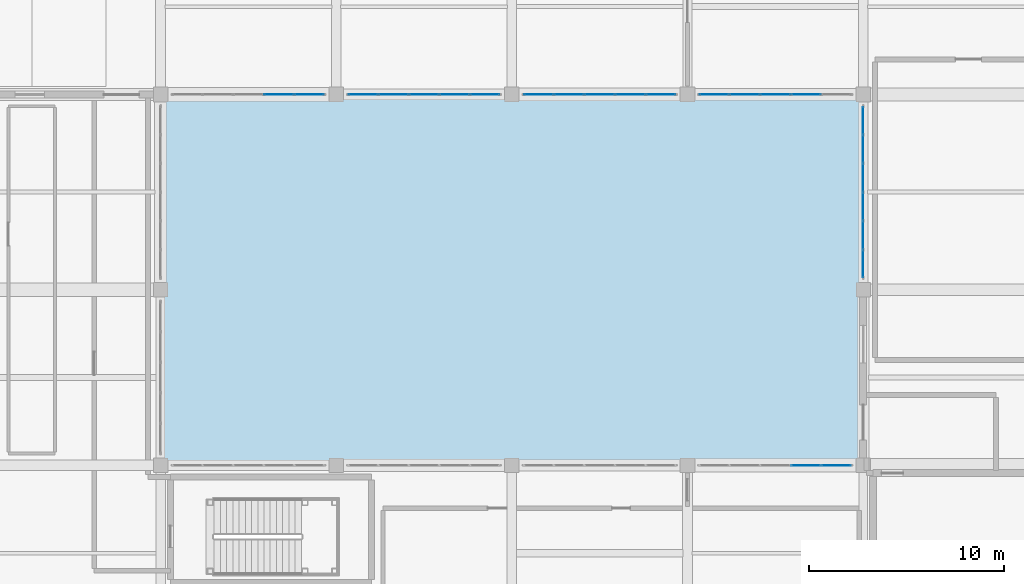
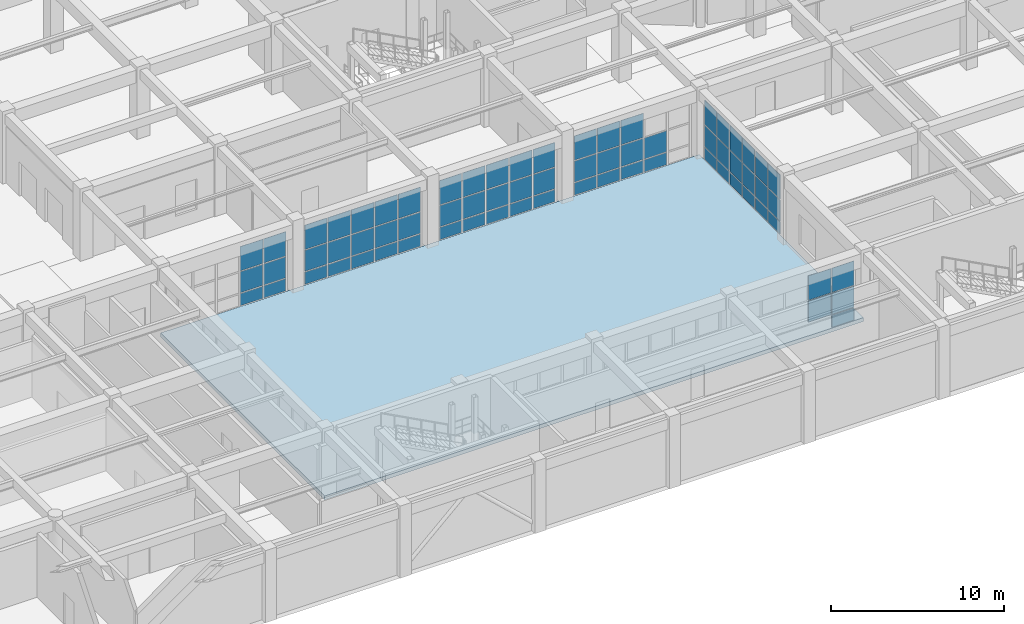
# One storey, part 86 of 128: 70 plates, 1 slab, 6 elements without a shape of their own.
"""IFC4 building model written with IfcOpenShell, lengths in metres."""

from ifc_helpers import new_model, si_unit, direction, frame, origin, origin_2d, place, context, subcontext, project, spatial, polyline, rectangle, outline, extrude, material, layer, layer_set, type_object, element, aggregate, save


model = new_model("IFC4")

# Units and contexts
model_context = context("Model", 3, precision=1e-05, world=origin(), true_north=direction((0.0, 1.0)))
body_context = subcontext(model_context, "Body", "Model", "MODEL_VIEW")
ifc_project = project(units=[si_unit("LENGTHUNIT", "METRE"), si_unit("AREAUNIT", "SQUARE_METRE"), si_unit("VOLUMEUNIT", "CUBIC_METRE"), si_unit("PLANEANGLEUNIT", "RADIAN"), si_unit("MASSUNIT", "GRAM", prefix="KILO")], contexts=[model_context])

# Site, building, storey
site_placement = place(None, origin())
site = spatial("IfcSite", under=ifc_project, at=site_placement, CompositionType="ELEMENT")
building_placement = place(site_placement, origin())
building = spatial("IfcBuilding", under=site, at=building_placement, Name="Miravela Opera House", CompositionType="ELEMENT")
storey_placement = place(building_placement, origin())
storey = spatial("IfcBuildingStorey", under=building, at=storey_placement, Name="L00", CompositionType="ELEMENT", Elevation=0.0)

# Curtain wall, plates
ifc_material_1 = material(Name="Anodised architectural bronze aluminium 6063-T6", Category="aluminium")
curtain_wall_type = type_object("IfcCurtainWallType", Name="ARC-CW-06", PredefinedType="NOTDEFINED", material=ifc_material_1)
curtain_wall_1_placement = place(storey_placement, origin())
curtain_wall_1 = element("IfcCurtainWall", 1, at=curtain_wall_1_placement, inside=storey, type_object=curtain_wall_type, Name="Courtyard Arcade Curtain Wall CW-L00-113", PredefinedType="NOTDEFINED")
ifc_material_2 = material(Name="Acoustic laminated low-E insulating glass", Category="glass")
ifc_layer_1 = layer(ifc_material_2, 0.028076171875)
ifc_layer_set_1 = layer_set([ifc_layer_1])
plate_type = type_object("IfcPlateType", Name="ARC-CWP-28", PredefinedType="CURTAIN_PANEL", material=ifc_layer_set_1)
plate_1_placement = place(storey_placement, frame((33.068115234375, 28.0, 0.06005859375), z_axis=(0.0, 0.0, 1.0), x_axis=(1.0, 0.0, 0.0)))
plate_1 = element("IfcPlate", 2, at=plate_1_placement, type_object=plate_type, Name="CW-06 panel 4.1", PredefinedType="CURTAIN_PANEL", context=body_context, shape_type="SweptSolid", body=[
    extrude(rectangle(XDim=1.508056640625, YDim=0.028076171875, at=origin_2d()), origin(), (0.0, 0.0, 1.0), 0.860107421875),
])
plate_2_placement = place(storey_placement, frame((33.068115234375, 28.0, 0.97998046875), z_axis=(0.0, 0.0, 1.0), x_axis=(1.0, 0.0, 0.0)))
plate_2 = element("IfcPlate", 3, at=plate_2_placement, type_object=plate_type, Name="CW-06 panel 4.2", PredefinedType="CURTAIN_PANEL", context=body_context, shape_type="SweptSolid", body=[
    extrude(rectangle(XDim=1.508056640625, YDim=0.028076171875, at=origin_2d()), origin(), (0.0, 0.0, 1.0), 1.48388671875),
])
plate_3_placement = place(storey_placement, frame((33.068115234375, 28.0, 2.52392578125), z_axis=(0.0, 0.0, 1.0), x_axis=(1.0, 0.0, 0.0)))
plate_3 = element("IfcPlate", 4, at=plate_3_placement, type_object=plate_type, Name="CW-06 panel 4.3", PredefinedType="CURTAIN_PANEL", context=body_context, shape_type="SweptSolid", body=[
    extrude(rectangle(XDim=1.508056640625, YDim=0.028076171875, at=origin_2d()), origin(), (0.0, 0.0, 1.0), 1.716064453125),
])
plate_4_placement = place(storey_placement, frame((34.62109375, 28.0, 0.06005859375), z_axis=(0.0, 0.0, 1.0), x_axis=(1.0, 0.0, 0.0)))
plate_4 = element("IfcPlate", 5, at=plate_4_placement, type_object=plate_type, Name="CW-06 panel 5.1", PredefinedType="CURTAIN_PANEL", context=body_context, shape_type="SweptSolid", body=[
    extrude(rectangle(XDim=1.47802734375, YDim=0.028076171875, at=origin_2d()), origin(), (0.0, 0.0, 1.0), 0.860107421875),
])
plate_5_placement = place(storey_placement, frame((34.62109375, 28.0, 0.97998046875), z_axis=(0.0, 0.0, 1.0), x_axis=(1.0, 0.0, 0.0)))
plate_5 = element("IfcPlate", 6, at=plate_5_placement, type_object=plate_type, Name="CW-06 panel 5.2", PredefinedType="CURTAIN_PANEL", context=body_context, shape_type="SweptSolid", body=[
    extrude(rectangle(XDim=1.47802734375, YDim=0.028076171875, at=origin_2d()), origin(), (0.0, 0.0, 1.0), 1.48388671875),
])
plate_6_placement = place(storey_placement, frame((34.62109375, 28.0, 2.52392578125), z_axis=(0.0, 0.0, 1.0), x_axis=(1.0, 0.0, 0.0)))
plate_6 = element("IfcPlate", 7, at=plate_6_placement, type_object=plate_type, Name="CW-06 panel 5.3", PredefinedType="CURTAIN_PANEL", context=body_context, shape_type="SweptSolid", body=[
    extrude(rectangle(XDim=1.47802734375, YDim=0.028076171875, at=origin_2d()), origin(), (0.0, 0.0, 1.0), 1.716064453125),
])
aggregate(curtain_wall_1, [plate_1, plate_2, plate_3, plate_4, plate_5, plate_6])

curtain_wall_2_placement = place(storey_placement, origin())
curtain_wall_2 = element("IfcCurtainWall", 8, at=curtain_wall_2_placement, inside=storey, type_object=curtain_wall_type, Name="Courtyard Arcade Curtain Wall CW-L00-115", PredefinedType="NOTDEFINED")
plate_7_placement = place(storey_placement, frame((37.37890625, 28.0, 0.06005859375), z_axis=(0.0, 0.0, 1.0), x_axis=(1.0, 0.0, 0.0)))
plate_7 = element("IfcPlate", 9, at=plate_7_placement, type_object=plate_type, Name="CW-06 panel 1.1", PredefinedType="CURTAIN_PANEL", context=body_context, shape_type="SweptSolid", body=[
    extrude(rectangle(XDim=1.47802734375, YDim=0.028076171875, at=origin_2d()), origin(), (0.0, 0.0, 1.0), 0.860107421875),
])
plate_8_placement = place(storey_placement, frame((37.37890625, 28.0, 0.97998046875), z_axis=(0.0, 0.0, 1.0), x_axis=(1.0, 0.0, 0.0)))
plate_8 = element("IfcPlate", 10, at=plate_8_placement, type_object=plate_type, Name="CW-06 panel 1.2", PredefinedType="CURTAIN_PANEL", context=body_context, shape_type="SweptSolid", body=[
    extrude(rectangle(XDim=1.47802734375, YDim=0.028076171875, at=origin_2d()), origin(), (0.0, 0.0, 1.0), 1.48388671875),
])
plate_9_placement = place(storey_placement, frame((37.37890625, 28.0, 2.52392578125), z_axis=(0.0, 0.0, 1.0), x_axis=(1.0, 0.0, 0.0)))
plate_9 = element("IfcPlate", 11, at=plate_9_placement, type_object=plate_type, Name="CW-06 panel 1.3", PredefinedType="CURTAIN_PANEL", context=body_context, shape_type="SweptSolid", body=[
    extrude(rectangle(XDim=1.47802734375, YDim=0.028076171875, at=origin_2d()), origin(), (0.0, 0.0, 1.0), 1.716064453125),
])
plate_10_placement = place(storey_placement, frame((38.931884765625, 28.0, 0.06005859375), z_axis=(0.0, 0.0, 1.0), x_axis=(1.0, 0.0, 0.0)))
plate_10 = element("IfcPlate", 12, at=plate_10_placement, type_object=plate_type, Name="CW-06 panel 2.1", PredefinedType="CURTAIN_PANEL", context=body_context, shape_type="SweptSolid", body=[
    extrude(rectangle(XDim=1.508056640625, YDim=0.028076171875, at=origin_2d()), origin(), (0.0, 0.0, 1.0), 0.860107421875),
])
plate_11_placement = place(storey_placement, frame((38.931884765625, 28.0, 0.97998046875), z_axis=(0.0, 0.0, 1.0), x_axis=(1.0, 0.0, 0.0)))
plate_11 = element("IfcPlate", 13, at=plate_11_placement, type_object=plate_type, Name="CW-06 panel 2.2", PredefinedType="CURTAIN_PANEL", context=body_context, shape_type="SweptSolid", body=[
    extrude(rectangle(XDim=1.508056640625, YDim=0.028076171875, at=origin_2d()), origin(), (0.0, 0.0, 1.0), 1.48388671875),
])
plate_12_placement = place(storey_placement, frame((38.931884765625, 28.0, 2.52392578125), z_axis=(0.0, 0.0, 1.0), x_axis=(1.0, 0.0, 0.0)))
plate_12 = element("IfcPlate", 14, at=plate_12_placement, type_object=plate_type, Name="CW-06 panel 2.3", PredefinedType="CURTAIN_PANEL", context=body_context, shape_type="SweptSolid", body=[
    extrude(rectangle(XDim=1.508056640625, YDim=0.028076171875, at=origin_2d()), origin(), (0.0, 0.0, 1.0), 1.716064453125),
])
plate_13_placement = place(storey_placement, frame((40.5, 28.0, 0.06005859375), z_axis=(0.0, 0.0, 1.0), x_axis=(1.0, 0.0, 0.0)))
plate_13 = element("IfcPlate", 15, at=plate_13_placement, type_object=plate_type, Name="CW-06 panel 3.1", PredefinedType="CURTAIN_PANEL", context=body_context, shape_type="SweptSolid", body=[
    extrude(rectangle(XDim=1.508056640625, YDim=0.028076171875, at=origin_2d()), origin(), (0.0, 0.0, 1.0), 0.860107421875),
])
plate_14_placement = place(storey_placement, frame((40.5, 28.0, 0.97998046875), z_axis=(0.0, 0.0, 1.0), x_axis=(1.0, 0.0, 0.0)))
plate_14 = element("IfcPlate", 16, at=plate_14_placement, type_object=plate_type, Name="CW-06 panel 3.2", PredefinedType="CURTAIN_PANEL", context=body_context, shape_type="SweptSolid", body=[
    extrude(rectangle(XDim=1.508056640625, YDim=0.028076171875, at=origin_2d()), origin(), (0.0, 0.0, 1.0), 1.48388671875),
])
plate_15_placement = place(storey_placement, frame((40.5, 28.0, 2.52392578125), z_axis=(0.0, 0.0, 1.0), x_axis=(1.0, 0.0, 0.0)))
plate_15 = element("IfcPlate", 17, at=plate_15_placement, type_object=plate_type, Name="CW-06 panel 3.3", PredefinedType="CURTAIN_PANEL", context=body_context, shape_type="SweptSolid", body=[
    extrude(rectangle(XDim=1.508056640625, YDim=0.028076171875, at=origin_2d()), origin(), (0.0, 0.0, 1.0), 1.716064453125),
])
plate_16_placement = place(storey_placement, frame((42.068115234375, 28.0, 0.06005859375), z_axis=(0.0, 0.0, 1.0), x_axis=(1.0, 0.0, 0.0)))
plate_16 = element("IfcPlate", 18, at=plate_16_placement, type_object=plate_type, Name="CW-06 panel 4.1", PredefinedType="CURTAIN_PANEL", context=body_context, shape_type="SweptSolid", body=[
    extrude(rectangle(XDim=1.508056640625, YDim=0.028076171875, at=origin_2d()), origin(), (0.0, 0.0, 1.0), 0.860107421875),
])
plate_17_placement = place(storey_placement, frame((42.068115234375, 28.0, 0.97998046875), z_axis=(0.0, 0.0, 1.0), x_axis=(1.0, 0.0, 0.0)))
plate_17 = element("IfcPlate", 19, at=plate_17_placement, type_object=plate_type, Name="CW-06 panel 4.2", PredefinedType="CURTAIN_PANEL", context=body_context, shape_type="SweptSolid", body=[
    extrude(rectangle(XDim=1.508056640625, YDim=0.028076171875, at=origin_2d()), origin(), (0.0, 0.0, 1.0), 1.48388671875),
])
plate_18_placement = place(storey_placement, frame((42.068115234375, 28.0, 2.52392578125), z_axis=(0.0, 0.0, 1.0), x_axis=(1.0, 0.0, 0.0)))
plate_18 = element("IfcPlate", 20, at=plate_18_placement, type_object=plate_type, Name="CW-06 panel 4.3", PredefinedType="CURTAIN_PANEL", context=body_context, shape_type="SweptSolid", body=[
    extrude(rectangle(XDim=1.508056640625, YDim=0.028076171875, at=origin_2d()), origin(), (0.0, 0.0, 1.0), 1.716064453125),
])
plate_19_placement = place(storey_placement, frame((43.62109375, 28.0, 0.06005859375), z_axis=(0.0, 0.0, 1.0), x_axis=(1.0, 0.0, 0.0)))
plate_19 = element("IfcPlate", 21, at=plate_19_placement, type_object=plate_type, Name="CW-06 panel 5.1", PredefinedType="CURTAIN_PANEL", context=body_context, shape_type="SweptSolid", body=[
    extrude(rectangle(XDim=1.47802734375, YDim=0.028076171875, at=origin_2d()), origin(), (0.0, 0.0, 1.0), 0.860107421875),
])
plate_20_placement = place(storey_placement, frame((43.62109375, 28.0, 0.97998046875), z_axis=(0.0, 0.0, 1.0), x_axis=(1.0, 0.0, 0.0)))
plate_20 = element("IfcPlate", 22, at=plate_20_placement, type_object=plate_type, Name="CW-06 panel 5.2", PredefinedType="CURTAIN_PANEL", context=body_context, shape_type="SweptSolid", body=[
    extrude(rectangle(XDim=1.47802734375, YDim=0.028076171875, at=origin_2d()), origin(), (0.0, 0.0, 1.0), 1.48388671875),
])
plate_21_placement = place(storey_placement, frame((43.62109375, 28.0, 2.52392578125), z_axis=(0.0, 0.0, 1.0), x_axis=(1.0, 0.0, 0.0)))
plate_21 = element("IfcPlate", 23, at=plate_21_placement, type_object=plate_type, Name="CW-06 panel 5.3", PredefinedType="CURTAIN_PANEL", context=body_context, shape_type="SweptSolid", body=[
    extrude(rectangle(XDim=1.47802734375, YDim=0.028076171875, at=origin_2d()), origin(), (0.0, 0.0, 1.0), 1.716064453125),
])
aggregate(curtain_wall_2, [plate_7, plate_8, plate_9, plate_10, plate_11, plate_12, plate_13, plate_14, plate_15, plate_16, plate_17, plate_18, plate_19, plate_20, plate_21])

curtain_wall_3_placement = place(storey_placement, origin())
curtain_wall_3 = element("IfcCurtainWall", 24, at=curtain_wall_3_placement, inside=storey, type_object=curtain_wall_type, Name="Courtyard Arcade Curtain Wall CW-L00-117", PredefinedType="NOTDEFINED")
plate_22_placement = place(storey_placement, frame((46.37890625, 28.0, 0.06005859375), z_axis=(0.0, 0.0, 1.0), x_axis=(1.0, 0.0, 0.0)))
plate_22 = element("IfcPlate", 25, at=plate_22_placement, type_object=plate_type, Name="CW-06 panel 1.1", PredefinedType="CURTAIN_PANEL", context=body_context, shape_type="SweptSolid", body=[
    extrude(rectangle(XDim=1.47802734375, YDim=0.028076171875, at=origin_2d()), origin(), (0.0, 0.0, 1.0), 0.860107421875),
])
plate_23_placement = place(storey_placement, frame((46.37890625, 28.0, 0.97998046875), z_axis=(0.0, 0.0, 1.0), x_axis=(1.0, 0.0, 0.0)))
plate_23 = element("IfcPlate", 26, at=plate_23_placement, type_object=plate_type, Name="CW-06 panel 1.2", PredefinedType="CURTAIN_PANEL", context=body_context, shape_type="SweptSolid", body=[
    extrude(rectangle(XDim=1.47802734375, YDim=0.028076171875, at=origin_2d()), origin(), (0.0, 0.0, 1.0), 1.48388671875),
])
plate_24_placement = place(storey_placement, frame((46.37890625, 28.0, 2.52392578125), z_axis=(0.0, 0.0, 1.0), x_axis=(1.0, 0.0, 0.0)))
plate_24 = element("IfcPlate", 27, at=plate_24_placement, type_object=plate_type, Name="CW-06 panel 1.3", PredefinedType="CURTAIN_PANEL", context=body_context, shape_type="SweptSolid", body=[
    extrude(rectangle(XDim=1.47802734375, YDim=0.028076171875, at=origin_2d()), origin(), (0.0, 0.0, 1.0), 1.716064453125),
])
plate_25_placement = place(storey_placement, frame((47.931884765625, 28.0, 0.06005859375), z_axis=(0.0, 0.0, 1.0), x_axis=(1.0, 0.0, 0.0)))
plate_25 = element("IfcPlate", 28, at=plate_25_placement, type_object=plate_type, Name="CW-06 panel 2.1", PredefinedType="CURTAIN_PANEL", context=body_context, shape_type="SweptSolid", body=[
    extrude(rectangle(XDim=1.508056640625, YDim=0.028076171875, at=origin_2d()), origin(), (0.0, 0.0, 1.0), 0.860107421875),
])
plate_26_placement = place(storey_placement, frame((47.931884765625, 28.0, 0.97998046875), z_axis=(0.0, 0.0, 1.0), x_axis=(1.0, 0.0, 0.0)))
plate_26 = element("IfcPlate", 29, at=plate_26_placement, type_object=plate_type, Name="CW-06 panel 2.2", PredefinedType="CURTAIN_PANEL", context=body_context, shape_type="SweptSolid", body=[
    extrude(rectangle(XDim=1.508056640625, YDim=0.028076171875, at=origin_2d()), origin(), (0.0, 0.0, 1.0), 1.48388671875),
])
plate_27_placement = place(storey_placement, frame((47.931884765625, 28.0, 2.52392578125), z_axis=(0.0, 0.0, 1.0), x_axis=(1.0, 0.0, 0.0)))
plate_27 = element("IfcPlate", 30, at=plate_27_placement, type_object=plate_type, Name="CW-06 panel 2.3", PredefinedType="CURTAIN_PANEL", context=body_context, shape_type="SweptSolid", body=[
    extrude(rectangle(XDim=1.508056640625, YDim=0.028076171875, at=origin_2d()), origin(), (0.0, 0.0, 1.0), 1.716064453125),
])
plate_28_placement = place(storey_placement, frame((49.5, 28.0, 0.06005859375), z_axis=(0.0, 0.0, 1.0), x_axis=(1.0, 0.0, 0.0)))
plate_28 = element("IfcPlate", 31, at=plate_28_placement, type_object=plate_type, Name="CW-06 panel 3.1", PredefinedType="CURTAIN_PANEL", context=body_context, shape_type="SweptSolid", body=[
    extrude(rectangle(XDim=1.508056640625, YDim=0.028076171875, at=origin_2d()), origin(), (0.0, 0.0, 1.0), 0.860107421875),
])
plate_29_placement = place(storey_placement, frame((49.5, 28.0, 0.97998046875), z_axis=(0.0, 0.0, 1.0), x_axis=(1.0, 0.0, 0.0)))
plate_29 = element("IfcPlate", 32, at=plate_29_placement, type_object=plate_type, Name="CW-06 panel 3.2", PredefinedType="CURTAIN_PANEL", context=body_context, shape_type="SweptSolid", body=[
    extrude(rectangle(XDim=1.508056640625, YDim=0.028076171875, at=origin_2d()), origin(), (0.0, 0.0, 1.0), 1.48388671875),
])
plate_30_placement = place(storey_placement, frame((49.5, 28.0, 2.52392578125), z_axis=(0.0, 0.0, 1.0), x_axis=(1.0, 0.0, 0.0)))
plate_30 = element("IfcPlate", 33, at=plate_30_placement, type_object=plate_type, Name="CW-06 panel 3.3", PredefinedType="CURTAIN_PANEL", context=body_context, shape_type="SweptSolid", body=[
    extrude(rectangle(XDim=1.508056640625, YDim=0.028076171875, at=origin_2d()), origin(), (0.0, 0.0, 1.0), 1.716064453125),
])
plate_31_placement = place(storey_placement, frame((51.068115234375, 28.0, 0.06005859375), z_axis=(0.0, 0.0, 1.0), x_axis=(1.0, 0.0, 0.0)))
plate_31 = element("IfcPlate", 34, at=plate_31_placement, type_object=plate_type, Name="CW-06 panel 4.1", PredefinedType="CURTAIN_PANEL", context=body_context, shape_type="SweptSolid", body=[
    extrude(rectangle(XDim=1.508056640625, YDim=0.028076171875, at=origin_2d()), origin(), (0.0, 0.0, 1.0), 0.860107421875),
])
plate_32_placement = place(storey_placement, frame((51.068115234375, 28.0, 0.97998046875), z_axis=(0.0, 0.0, 1.0), x_axis=(1.0, 0.0, 0.0)))
plate_32 = element("IfcPlate", 35, at=plate_32_placement, type_object=plate_type, Name="CW-06 panel 4.2", PredefinedType="CURTAIN_PANEL", context=body_context, shape_type="SweptSolid", body=[
    extrude(rectangle(XDim=1.508056640625, YDim=0.028076171875, at=origin_2d()), origin(), (0.0, 0.0, 1.0), 1.48388671875),
])
plate_33_placement = place(storey_placement, frame((51.068115234375, 28.0, 2.52392578125), z_axis=(0.0, 0.0, 1.0), x_axis=(1.0, 0.0, 0.0)))
plate_33 = element("IfcPlate", 36, at=plate_33_placement, type_object=plate_type, Name="CW-06 panel 4.3", PredefinedType="CURTAIN_PANEL", context=body_context, shape_type="SweptSolid", body=[
    extrude(rectangle(XDim=1.508056640625, YDim=0.028076171875, at=origin_2d()), origin(), (0.0, 0.0, 1.0), 1.716064453125),
])
plate_34_placement = place(storey_placement, frame((52.62109375, 28.0, 0.06005859375), z_axis=(0.0, 0.0, 1.0), x_axis=(1.0, 0.0, 0.0)))
plate_34 = element("IfcPlate", 37, at=plate_34_placement, type_object=plate_type, Name="CW-06 panel 5.1", PredefinedType="CURTAIN_PANEL", context=body_context, shape_type="SweptSolid", body=[
    extrude(rectangle(XDim=1.47802734375, YDim=0.028076171875, at=origin_2d()), origin(), (0.0, 0.0, 1.0), 0.860107421875),
])
plate_35_placement = place(storey_placement, frame((52.62109375, 28.0, 0.97998046875), z_axis=(0.0, 0.0, 1.0), x_axis=(1.0, 0.0, 0.0)))
plate_35 = element("IfcPlate", 38, at=plate_35_placement, type_object=plate_type, Name="CW-06 panel 5.2", PredefinedType="CURTAIN_PANEL", context=body_context, shape_type="SweptSolid", body=[
    extrude(rectangle(XDim=1.47802734375, YDim=0.028076171875, at=origin_2d()), origin(), (0.0, 0.0, 1.0), 1.48388671875),
])
plate_36_placement = place(storey_placement, frame((52.62109375, 28.0, 2.52392578125), z_axis=(0.0, 0.0, 1.0), x_axis=(1.0, 0.0, 0.0)))
plate_36 = element("IfcPlate", 39, at=plate_36_placement, type_object=plate_type, Name="CW-06 panel 5.3", PredefinedType="CURTAIN_PANEL", context=body_context, shape_type="SweptSolid", body=[
    extrude(rectangle(XDim=1.47802734375, YDim=0.028076171875, at=origin_2d()), origin(), (0.0, 0.0, 1.0), 1.716064453125),
])
aggregate(curtain_wall_3, [plate_22, plate_23, plate_24, plate_25, plate_26, plate_27, plate_28, plate_29, plate_30, plate_31, plate_32, plate_33, plate_34, plate_35, plate_36])

curtain_wall_4_placement = place(storey_placement, origin())
curtain_wall_4 = element("IfcCurtainWall", 40, at=curtain_wall_4_placement, inside=storey, type_object=curtain_wall_type, Name="Courtyard Arcade Curtain Wall CW-L00-119", PredefinedType="NOTDEFINED")
plate_37_placement = place(storey_placement, frame((55.37890625, 28.0, 0.06005859375), z_axis=(0.0, 0.0, 1.0), x_axis=(1.0, 0.0, 0.0)))
plate_37 = element("IfcPlate", 41, at=plate_37_placement, type_object=plate_type, Name="CW-06 panel 1.1", PredefinedType="CURTAIN_PANEL", context=body_context, shape_type="SweptSolid", body=[
    extrude(rectangle(XDim=1.47802734375, YDim=0.028076171875, at=origin_2d()), origin(), (0.0, 0.0, 1.0), 0.860107421875),
])
plate_38_placement = place(storey_placement, frame((55.37890625, 28.0, 0.97998046875), z_axis=(0.0, 0.0, 1.0), x_axis=(1.0, 0.0, 0.0)))
plate_38 = element("IfcPlate", 42, at=plate_38_placement, type_object=plate_type, Name="CW-06 panel 1.2", PredefinedType="CURTAIN_PANEL", context=body_context, shape_type="SweptSolid", body=[
    extrude(rectangle(XDim=1.47802734375, YDim=0.028076171875, at=origin_2d()), origin(), (0.0, 0.0, 1.0), 1.48388671875),
])
plate_39_placement = place(storey_placement, frame((55.37890625, 28.0, 2.52392578125), z_axis=(0.0, 0.0, 1.0), x_axis=(1.0, 0.0, 0.0)))
plate_39 = element("IfcPlate", 43, at=plate_39_placement, type_object=plate_type, Name="CW-06 panel 1.3", PredefinedType="CURTAIN_PANEL", context=body_context, shape_type="SweptSolid", body=[
    extrude(rectangle(XDim=1.47802734375, YDim=0.028076171875, at=origin_2d()), origin(), (0.0, 0.0, 1.0), 1.716064453125),
])
plate_40_placement = place(storey_placement, frame((56.931884765625, 28.0, 0.06005859375), z_axis=(0.0, 0.0, 1.0), x_axis=(1.0, 0.0, 0.0)))
plate_40 = element("IfcPlate", 44, at=plate_40_placement, type_object=plate_type, Name="CW-06 panel 2.1", PredefinedType="CURTAIN_PANEL", context=body_context, shape_type="SweptSolid", body=[
    extrude(rectangle(XDim=1.508056640625, YDim=0.028076171875, at=origin_2d()), origin(), (0.0, 0.0, 1.0), 0.860107421875),
])
plate_41_placement = place(storey_placement, frame((56.931884765625, 28.0, 0.97998046875), z_axis=(0.0, 0.0, 1.0), x_axis=(1.0, 0.0, 0.0)))
plate_41 = element("IfcPlate", 45, at=plate_41_placement, type_object=plate_type, Name="CW-06 panel 2.2", PredefinedType="CURTAIN_PANEL", context=body_context, shape_type="SweptSolid", body=[
    extrude(rectangle(XDim=1.508056640625, YDim=0.028076171875, at=origin_2d()), origin(), (0.0, 0.0, 1.0), 1.48388671875),
])
plate_42_placement = place(storey_placement, frame((56.931884765625, 28.0, 2.52392578125), z_axis=(0.0, 0.0, 1.0), x_axis=(1.0, 0.0, 0.0)))
plate_42 = element("IfcPlate", 46, at=plate_42_placement, type_object=plate_type, Name="CW-06 panel 2.3", PredefinedType="CURTAIN_PANEL", context=body_context, shape_type="SweptSolid", body=[
    extrude(rectangle(XDim=1.508056640625, YDim=0.028076171875, at=origin_2d()), origin(), (0.0, 0.0, 1.0), 1.716064453125),
])
plate_43_placement = place(storey_placement, frame((58.5, 28.0, 0.06005859375), z_axis=(0.0, 0.0, 1.0), x_axis=(1.0, 0.0, 0.0)))
plate_43 = element("IfcPlate", 47, at=plate_43_placement, type_object=plate_type, Name="CW-06 panel 3.1", PredefinedType="CURTAIN_PANEL", context=body_context, shape_type="SweptSolid", body=[
    extrude(rectangle(XDim=1.508056640625, YDim=0.028076171875, at=origin_2d()), origin(), (0.0, 0.0, 1.0), 0.860107421875),
])
plate_44_placement = place(storey_placement, frame((58.5, 28.0, 0.97998046875), z_axis=(0.0, 0.0, 1.0), x_axis=(1.0, 0.0, 0.0)))
plate_44 = element("IfcPlate", 48, at=plate_44_placement, type_object=plate_type, Name="CW-06 panel 3.2", PredefinedType="CURTAIN_PANEL", context=body_context, shape_type="SweptSolid", body=[
    extrude(rectangle(XDim=1.508056640625, YDim=0.028076171875, at=origin_2d()), origin(), (0.0, 0.0, 1.0), 1.48388671875),
])
plate_45_placement = place(storey_placement, frame((58.5, 28.0, 2.52392578125), z_axis=(0.0, 0.0, 1.0), x_axis=(1.0, 0.0, 0.0)))
plate_45 = element("IfcPlate", 49, at=plate_45_placement, type_object=plate_type, Name="CW-06 panel 3.3", PredefinedType="CURTAIN_PANEL", context=body_context, shape_type="SweptSolid", body=[
    extrude(rectangle(XDim=1.508056640625, YDim=0.028076171875, at=origin_2d()), origin(), (0.0, 0.0, 1.0), 1.716064453125),
])
plate_46_placement = place(storey_placement, frame((60.068115234375, 28.0, 0.06005859375), z_axis=(0.0, 0.0, 1.0), x_axis=(1.0, 0.0, 0.0)))
plate_46 = element("IfcPlate", 50, at=plate_46_placement, type_object=plate_type, Name="CW-06 panel 4.1", PredefinedType="CURTAIN_PANEL", context=body_context, shape_type="SweptSolid", body=[
    extrude(rectangle(XDim=1.508056640625, YDim=0.028076171875, at=origin_2d()), origin(), (0.0, 0.0, 1.0), 0.860107421875),
])
plate_47_placement = place(storey_placement, frame((60.068115234375, 28.0, 0.97998046875), z_axis=(0.0, 0.0, 1.0), x_axis=(1.0, 0.0, 0.0)))
plate_47 = element("IfcPlate", 51, at=plate_47_placement, type_object=plate_type, Name="CW-06 panel 4.2", PredefinedType="CURTAIN_PANEL", context=body_context, shape_type="SweptSolid", body=[
    extrude(rectangle(XDim=1.508056640625, YDim=0.028076171875, at=origin_2d()), origin(), (0.0, 0.0, 1.0), 1.48388671875),
])
aggregate(curtain_wall_4, [plate_37, plate_38, plate_39, plate_40, plate_41, plate_42, plate_43, plate_44, plate_45, plate_46, plate_47])

curtain_wall_5_placement = place(storey_placement, origin())
curtain_wall_5 = element("IfcCurtainWall", 52, at=curtain_wall_5_placement, inside=storey, type_object=curtain_wall_type, Name="Courtyard Arcade Curtain Wall CW-L00-120", PredefinedType="NOTDEFINED")
plate_48_placement = place(storey_placement, frame((60.068115234375, 9.0, 0.97998046875), z_axis=(0.0, 0.0, 1.0), x_axis=(1.0, 0.0, 0.0)))
plate_48 = element("IfcPlate", 53, at=plate_48_placement, type_object=plate_type, Name="CW-06 panel 4.2", PredefinedType="CURTAIN_PANEL", context=body_context, shape_type="SweptSolid", body=[
    extrude(rectangle(XDim=1.508056640625, YDim=0.028076171875, at=origin_2d()), origin(), (0.0, 0.0, 1.0), 1.48388671875),
])
plate_49_placement = place(storey_placement, frame((60.068115234375, 9.0, 2.52392578125), z_axis=(0.0, 0.0, 1.0), x_axis=(1.0, 0.0, 0.0)))
plate_49 = element("IfcPlate", 54, at=plate_49_placement, type_object=plate_type, Name="CW-06 panel 4.3", PredefinedType="CURTAIN_PANEL", context=body_context, shape_type="SweptSolid", body=[
    extrude(rectangle(XDim=1.508056640625, YDim=0.028076171875, at=origin_2d()), origin(), (0.0, 0.0, 1.0), 1.716064453125),
])
plate_50_placement = place(storey_placement, frame((61.62109375, 9.0, 0.06005859375), z_axis=(0.0, 0.0, 1.0), x_axis=(1.0, 0.0, 0.0)))
plate_50 = element("IfcPlate", 55, at=plate_50_placement, type_object=plate_type, Name="CW-06 panel 5.1", PredefinedType="CURTAIN_PANEL", context=body_context, shape_type="SweptSolid", body=[
    extrude(rectangle(XDim=1.47802734375, YDim=0.028076171875, at=origin_2d()), origin(), (0.0, 0.0, 1.0), 0.860107421875),
])
plate_51_placement = place(storey_placement, frame((61.62109375, 9.0, 0.97998046875), z_axis=(0.0, 0.0, 1.0), x_axis=(1.0, 0.0, 0.0)))
plate_51 = element("IfcPlate", 56, at=plate_51_placement, type_object=plate_type, Name="CW-06 panel 5.2", PredefinedType="CURTAIN_PANEL", context=body_context, shape_type="SweptSolid", body=[
    extrude(rectangle(XDim=1.47802734375, YDim=0.028076171875, at=origin_2d()), origin(), (0.0, 0.0, 1.0), 1.48388671875),
])
plate_52_placement = place(storey_placement, frame((61.62109375, 9.0, 2.52392578125), z_axis=(0.0, 0.0, 1.0), x_axis=(1.0, 0.0, 0.0)))
plate_52 = element("IfcPlate", 57, at=plate_52_placement, type_object=plate_type, Name="CW-06 panel 5.3", PredefinedType="CURTAIN_PANEL", context=body_context, shape_type="SweptSolid", body=[
    extrude(rectangle(XDim=1.47802734375, YDim=0.028076171875, at=origin_2d()), origin(), (0.0, 0.0, 1.0), 1.716064453125),
])
aggregate(curtain_wall_5, [plate_48, plate_49, plate_50, plate_51, plate_52])

curtain_wall_6_placement = place(storey_placement, origin())
curtain_wall_6 = element("IfcCurtainWall", 58, at=curtain_wall_6_placement, inside=storey, type_object=curtain_wall_type, Name="Courtyard Arcade Curtain Wall CW-L00-123", PredefinedType="NOTDEFINED")
plate_53_placement = place(storey_placement, frame((63.0, 19.331787109375, 0.06005859375), z_axis=(0.0, 0.0, 1.0), x_axis=(0.0, 1.0, 0.0)))
plate_53 = element("IfcPlate", 59, at=plate_53_placement, type_object=plate_type, Name="CW-06 panel 1.1", PredefinedType="CURTAIN_PANEL", context=body_context, shape_type="SweptSolid", body=[
    extrude(rectangle(XDim=1.38330078125, YDim=0.028076171875, at=origin_2d()), origin(), (0.0, 0.0, 1.0), 0.860107421875),
])
plate_54_placement = place(storey_placement, frame((63.0, 19.331787109375, 0.97998046875), z_axis=(0.0, 0.0, 1.0), x_axis=(0.0, 1.0, 0.0)))
plate_54 = element("IfcPlate", 60, at=plate_54_placement, type_object=plate_type, Name="CW-06 panel 1.2", PredefinedType="CURTAIN_PANEL", context=body_context, shape_type="SweptSolid", body=[
    extrude(rectangle(XDim=1.38330078125, YDim=0.028076171875, at=origin_2d()), origin(), (0.0, 0.0, 1.0), 1.48388671875),
])
plate_55_placement = place(storey_placement, frame((63.0, 19.331787109375, 2.52392578125), z_axis=(0.0, 0.0, 1.0), x_axis=(0.0, 1.0, 0.0)))
plate_55 = element("IfcPlate", 61, at=plate_55_placement, type_object=plate_type, Name="CW-06 panel 1.3", PredefinedType="CURTAIN_PANEL", context=body_context, shape_type="SweptSolid", body=[
    extrude(rectangle(XDim=1.38330078125, YDim=0.028076171875, at=origin_2d()), origin(), (0.0, 0.0, 1.0), 1.716064453125),
])
plate_56_placement = place(storey_placement, frame((63.0, 20.7900390625, 0.06005859375), z_axis=(0.0, 0.0, 1.0), x_axis=(0.0, 1.0, 0.0)))
plate_56 = element("IfcPlate", 62, at=plate_56_placement, type_object=plate_type, Name="CW-06 panel 2.1", PredefinedType="CURTAIN_PANEL", context=body_context, shape_type="SweptSolid", body=[
    extrude(rectangle(XDim=1.413330078125, YDim=0.028076171875, at=origin_2d()), origin(), (0.0, 0.0, 1.0), 0.860107421875),
])
plate_57_placement = place(storey_placement, frame((63.0, 20.7900390625, 0.97998046875), z_axis=(0.0, 0.0, 1.0), x_axis=(0.0, 1.0, 0.0)))
plate_57 = element("IfcPlate", 63, at=plate_57_placement, type_object=plate_type, Name="CW-06 panel 2.2", PredefinedType="CURTAIN_PANEL", context=body_context, shape_type="SweptSolid", body=[
    extrude(rectangle(XDim=1.413330078125, YDim=0.028076171875, at=origin_2d()), origin(), (0.0, 0.0, 1.0), 1.48388671875),
])
plate_58_placement = place(storey_placement, frame((63.0, 20.7900390625, 2.52392578125), z_axis=(0.0, 0.0, 1.0), x_axis=(0.0, 1.0, 0.0)))
plate_58 = element("IfcPlate", 64, at=plate_58_placement, type_object=plate_type, Name="CW-06 panel 2.3", PredefinedType="CURTAIN_PANEL", context=body_context, shape_type="SweptSolid", body=[
    extrude(rectangle(XDim=1.413330078125, YDim=0.028076171875, at=origin_2d()), origin(), (0.0, 0.0, 1.0), 1.716064453125),
])
plate_59_placement = place(storey_placement, frame((63.0, 22.263427734375, 0.06005859375), z_axis=(0.0, 0.0, 1.0), x_axis=(0.0, 1.0, 0.0)))
plate_59 = element("IfcPlate", 65, at=plate_59_placement, type_object=plate_type, Name="CW-06 panel 3.1", PredefinedType="CURTAIN_PANEL", context=body_context, shape_type="SweptSolid", body=[
    extrude(rectangle(XDim=1.413330078125, YDim=0.028076171875, at=origin_2d()), origin(), (0.0, 0.0, 1.0), 0.860107421875),
])
plate_60_placement = place(storey_placement, frame((63.0, 22.263427734375, 0.97998046875), z_axis=(0.0, 0.0, 1.0), x_axis=(0.0, 1.0, 0.0)))
plate_60 = element("IfcPlate", 66, at=plate_60_placement, type_object=plate_type, Name="CW-06 panel 3.2", PredefinedType="CURTAIN_PANEL", context=body_context, shape_type="SweptSolid", body=[
    extrude(rectangle(XDim=1.413330078125, YDim=0.028076171875, at=origin_2d()), origin(), (0.0, 0.0, 1.0), 1.48388671875),
])
plate_61_placement = place(storey_placement, frame((63.0, 22.263427734375, 2.52392578125), z_axis=(0.0, 0.0, 1.0), x_axis=(0.0, 1.0, 0.0)))
plate_61 = element("IfcPlate", 67, at=plate_61_placement, type_object=plate_type, Name="CW-06 panel 3.3", PredefinedType="CURTAIN_PANEL", context=body_context, shape_type="SweptSolid", body=[
    extrude(rectangle(XDim=1.413330078125, YDim=0.028076171875, at=origin_2d()), origin(), (0.0, 0.0, 1.0), 1.716064453125),
])
plate_62_placement = place(storey_placement, frame((63.0, 23.736572265625, 0.06005859375), z_axis=(0.0, 0.0, 1.0), x_axis=(0.0, 1.0, 0.0)))
plate_62 = element("IfcPlate", 68, at=plate_62_placement, type_object=plate_type, Name="CW-06 panel 4.1", PredefinedType="CURTAIN_PANEL", context=body_context, shape_type="SweptSolid", body=[
    extrude(rectangle(XDim=1.413330078125, YDim=0.028076171875, at=origin_2d()), origin(), (0.0, 0.0, 1.0), 0.860107421875),
])
plate_63_placement = place(storey_placement, frame((63.0, 23.736572265625, 0.97998046875), z_axis=(0.0, 0.0, 1.0), x_axis=(0.0, 1.0, 0.0)))
plate_63 = element("IfcPlate", 69, at=plate_63_placement, type_object=plate_type, Name="CW-06 panel 4.2", PredefinedType="CURTAIN_PANEL", context=body_context, shape_type="SweptSolid", body=[
    extrude(rectangle(XDim=1.413330078125, YDim=0.028076171875, at=origin_2d()), origin(), (0.0, 0.0, 1.0), 1.48388671875),
])
plate_64_placement = place(storey_placement, frame((63.0, 23.736572265625, 2.52392578125), z_axis=(0.0, 0.0, 1.0), x_axis=(0.0, 1.0, 0.0)))
plate_64 = element("IfcPlate", 70, at=plate_64_placement, type_object=plate_type, Name="CW-06 panel 4.3", PredefinedType="CURTAIN_PANEL", context=body_context, shape_type="SweptSolid", body=[
    extrude(rectangle(XDim=1.413330078125, YDim=0.028076171875, at=origin_2d()), origin(), (0.0, 0.0, 1.0), 1.716064453125),
])
plate_65_placement = place(storey_placement, frame((63.0, 25.2099609375, 0.06005859375), z_axis=(0.0, 0.0, 1.0), x_axis=(0.0, 1.0, 0.0)))
plate_65 = element("IfcPlate", 71, at=plate_65_placement, type_object=plate_type, Name="CW-06 panel 5.1", PredefinedType="CURTAIN_PANEL", context=body_context, shape_type="SweptSolid", body=[
    extrude(rectangle(XDim=1.413330078125, YDim=0.028076171875, at=origin_2d()), origin(), (0.0, 0.0, 1.0), 0.860107421875),
])
plate_66_placement = place(storey_placement, frame((63.0, 25.2099609375, 0.97998046875), z_axis=(0.0, 0.0, 1.0), x_axis=(0.0, 1.0, 0.0)))
plate_66 = element("IfcPlate", 72, at=plate_66_placement, type_object=plate_type, Name="CW-06 panel 5.2", PredefinedType="CURTAIN_PANEL", context=body_context, shape_type="SweptSolid", body=[
    extrude(rectangle(XDim=1.413330078125, YDim=0.028076171875, at=origin_2d()), origin(), (0.0, 0.0, 1.0), 1.48388671875),
])
plate_67_placement = place(storey_placement, frame((63.0, 25.2099609375, 2.52392578125), z_axis=(0.0, 0.0, 1.0), x_axis=(0.0, 1.0, 0.0)))
plate_67 = element("IfcPlate", 73, at=plate_67_placement, type_object=plate_type, Name="CW-06 panel 5.3", PredefinedType="CURTAIN_PANEL", context=body_context, shape_type="SweptSolid", body=[
    extrude(rectangle(XDim=1.413330078125, YDim=0.028076171875, at=origin_2d()), origin(), (0.0, 0.0, 1.0), 1.716064453125),
])
plate_68_placement = place(storey_placement, frame((63.0, 26.668212890625, 0.06005859375), z_axis=(0.0, 0.0, 1.0), x_axis=(0.0, 1.0, 0.0)))
plate_68 = element("IfcPlate", 74, at=plate_68_placement, type_object=plate_type, Name="CW-06 panel 6.1", PredefinedType="CURTAIN_PANEL", context=body_context, shape_type="SweptSolid", body=[
    extrude(rectangle(XDim=1.38330078125, YDim=0.028076171875, at=origin_2d()), origin(), (0.0, 0.0, 1.0), 0.860107421875),
])
plate_69_placement = place(storey_placement, frame((63.0, 26.668212890625, 0.97998046875), z_axis=(0.0, 0.0, 1.0), x_axis=(0.0, 1.0, 0.0)))
plate_69 = element("IfcPlate", 75, at=plate_69_placement, type_object=plate_type, Name="CW-06 panel 6.2", PredefinedType="CURTAIN_PANEL", context=body_context, shape_type="SweptSolid", body=[
    extrude(rectangle(XDim=1.38330078125, YDim=0.028076171875, at=origin_2d()), origin(), (0.0, 0.0, 1.0), 1.48388671875),
])
plate_70_placement = place(storey_placement, frame((63.0, 26.668212890625, 2.52392578125), z_axis=(0.0, 0.0, 1.0), x_axis=(0.0, 1.0, 0.0)))
plate_70 = element("IfcPlate", 76, at=plate_70_placement, type_object=plate_type, Name="CW-06 panel 6.3", PredefinedType="CURTAIN_PANEL", context=body_context, shape_type="SweptSolid", body=[
    extrude(rectangle(XDim=1.38330078125, YDim=0.028076171875, at=origin_2d()), origin(), (0.0, 0.0, 1.0), 1.716064453125),
])
aggregate(curtain_wall_6, [plate_53, plate_54, plate_55, plate_56, plate_57, plate_58, plate_59, plate_60, plate_61, plate_62, plate_63, plate_64, plate_65, plate_66, plate_67, plate_68, plate_69, plate_70])

# Slab
ifc_material_3 = material(Name="Concrete C35/45", Category="concrete")
ifc_layer_2 = layer(ifc_material_3, 0.27001953125)
ifc_layer_set_2 = layer_set([ifc_layer_2])
slab_type = type_object("IfcSlabType", Name="STR-SLAB-TERR-270", PredefinedType="FLOOR", material=ifc_layer_set_2)
slab_placement = place(storey_placement, frame((0.0, 0.0, -0.27001953125)))
element("IfcSlab", 77, at=slab_placement, inside=storey, type_object=slab_type, Name="Ground Level Slab SLAB-L00-EXT-ART", PredefinedType="FLOOR", context=body_context, shape_type="SweptSolid", body=[
    extrude(outline(polyline([(27.0, 9.0), (63.0, 9.0), (63.0, 28.0), (27.0, 28.0), (27.0, 9.0)])), origin(), (0.0, 0.0, 1.0), 0.27001953125),
])

save(model, "model.ifc")
